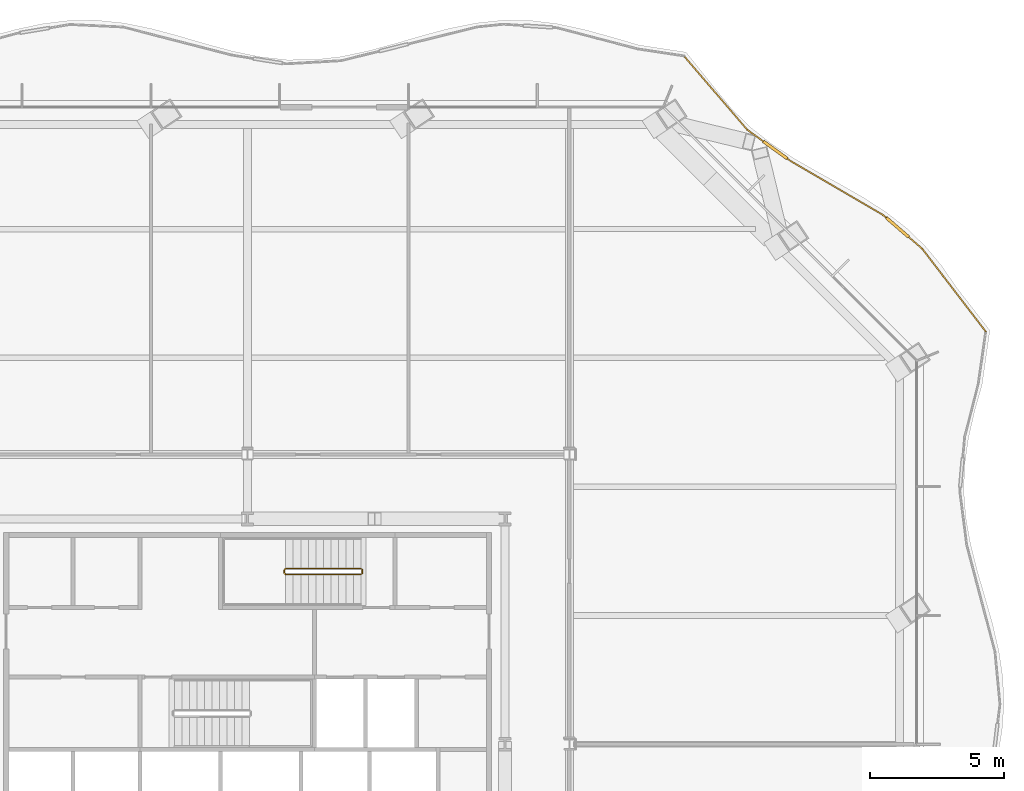
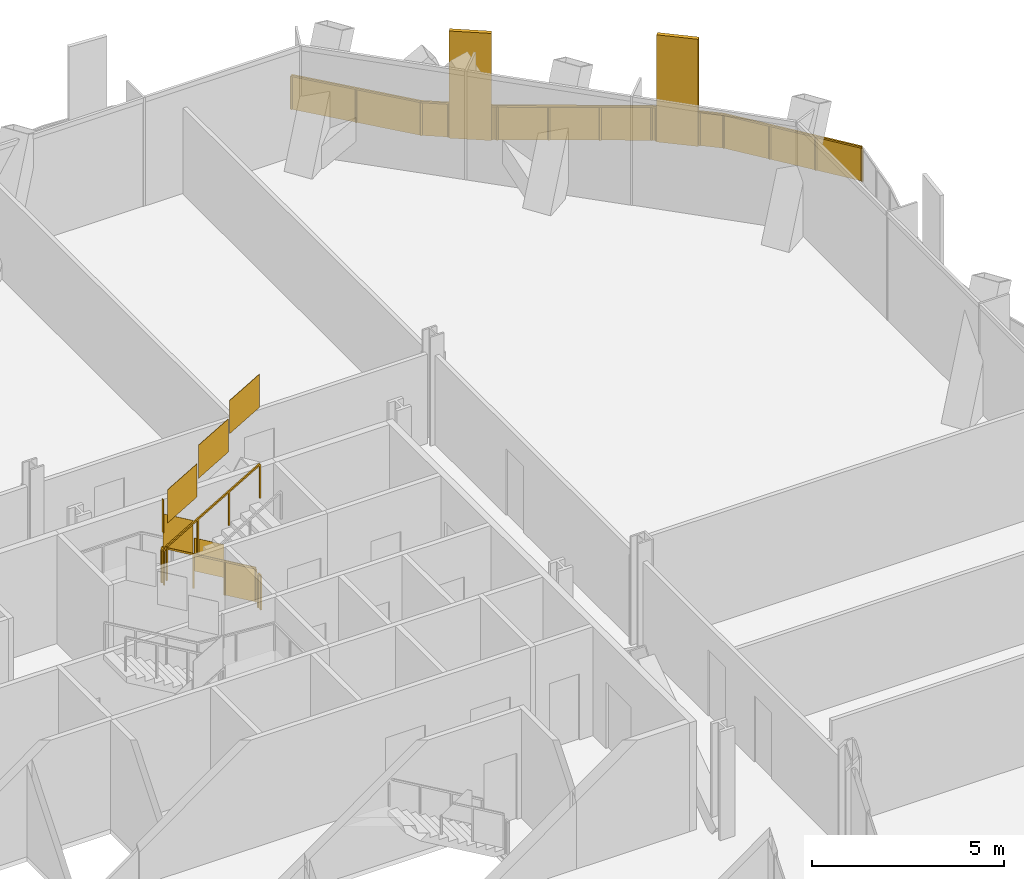
# One storey, part 20 of 20: 3 railings.
"""IFC4 building model written with IfcOpenShell, lengths in metres."""

from ifc_helpers import new_model, si_unit, direction, frame, origin, origin_2d, place, context, subcontext, project, spatial, polyline, rectangle, outline, extrude, material, type_object, element, save


model = new_model("IFC4")

# Units and contexts
model_context = context("Model", 3, precision=1e-05, world=origin(), true_north=direction((0.0, 1.0)))
body_context = subcontext(model_context, "Body", "Model", "MODEL_VIEW")
ifc_project = project(units=[si_unit("LENGTHUNIT", "METRE"), si_unit("AREAUNIT", "SQUARE_METRE"), si_unit("VOLUMEUNIT", "CUBIC_METRE"), si_unit("PLANEANGLEUNIT", "RADIAN"), si_unit("MASSUNIT", "GRAM", prefix="KILO")], contexts=[model_context])

# Site, building, storey
site_placement = place(None, origin())
site = spatial("IfcSite", under=ifc_project, at=site_placement, CompositionType="ELEMENT")
building_placement = place(site_placement, origin())
building = spatial("IfcBuilding", under=site, at=building_placement, Name="Cairn Pilgrim Tower", CompositionType="ELEMENT")
storey_placement = place(building_placement, frame((0.0, 0.0, 101.39990234375)))
storey = spatial("IfcBuildingStorey", under=building, at=storey_placement, Name="L24", CompositionType="ELEMENT", Elevation=101.39990234375)

# Railings
ifc_material_1 = material(Name="Bronze anodised aluminium rail, posts and fin screens with laminated glass infill", Category="aluminium")
railing_type_1 = type_object("IfcRailingType", Name="BALCONY GUARD WITH FIN SCREENS", PredefinedType="GUARDRAIL", material=ifc_material_1)
railing_1_placement = place(storey_placement, frame((34.7177734375, 17.783935546875, 0.0)))
element("IfcRailing", 1, at=railing_1_placement, inside=storey, type_object=railing_type_1, Name="Balcony guard BGF-4 with fin screens", PredefinedType="GUARDRAIL", context=body_context, shape_type="SweptSolid", body=[
    extrude(rectangle(XDim=0.050048828125, YDim=0.050048828125, at=origin_2d()), frame((0.0, 0.0, 1.0751953125), z_axis=(-0.608521134207, 0.793537667174, 0.0), x_axis=(-0.793537667174, -0.608521134207, 0.0)), (0.0, 0.0, 1.0), 3.89013671875),
    extrude(rectangle(XDim=1.10009765625, YDim=0.110107421875, at=origin_2d()), frame((-3.287109375, 3.881591796875, 0.0), z_axis=(0.0, 0.0, 1.0), x_axis=(-0.756777155342, 0.653672958866, 0.0)), (0.0, 0.0, 1.0), 3.39990234375),
    extrude(rectangle(XDim=0.050048828125, YDim=0.050048828125, at=origin_2d()), frame((-2.3671875, 3.0869140625, 1.0751953125), z_axis=(-0.756777155342, 0.653672958866, 0.0), x_axis=(-0.653672958866, -0.756777155342, 0.0)), (0.0, 0.0, 1.0), 0.66552734375),
    extrude(rectangle(XDim=0.050048828125, YDim=0.050048828125, at=origin_2d()), frame((-3.703369140625, 4.240966796875, 1.0751953125), z_axis=(-0.756777155342, 0.653672958866, 0.0), x_axis=(-0.653672958866, -0.756777155342, 0.0)), (0.0, 0.0, 1.0), 0.150146484375),
    extrude(rectangle(XDim=0.050048828125, YDim=0.050048828125, at=origin_2d()), frame((-3.81689453125, 4.339111328125, 1.0751953125), z_axis=(-0.863712552111, 0.5039847491, 0.0), x_axis=(-0.5039847491, -0.863712552111, 0.0)), (0.0, 0.0, 1.0), 4.004150390625),
    extrude(rectangle(XDim=1.10009765625, YDim=0.110107421875, at=origin_2d()), frame((-7.843017578125, 6.7666015625, 0.0), z_axis=(0.0, 0.0, 1.0), x_axis=(-0.811164197828, 0.58481847112, 0.0)), (0.0, 0.0, 1.0), 3.39990234375),
    extrude(rectangle(XDim=0.050048828125, YDim=0.050048828125, at=origin_2d()), frame((-7.275390625, 6.357177734375, 1.0751953125), z_axis=(-0.811164197828, 0.58481847112, 0.0), x_axis=(-0.58481847112, -0.811164197828, 0.0)), (0.0, 0.0, 1.0), 0.14990234375),
    extrude(rectangle(XDim=0.050048828125, YDim=0.050048828125, at=origin_2d()), frame((-8.289306640625, 7.088134765625, 1.0751953125), z_axis=(-0.811164197828, 0.58481847112, 0.0), x_axis=(-0.58481847112, -0.811164197828, 0.0)), (0.0, 0.0, 1.0), 0.740234375),
    extrude(rectangle(XDim=0.050048828125, YDim=0.050048828125, at=origin_2d()), frame((-8.8896484375, 7.52099609375, 1.0751953125), z_axis=(-0.650999911096, 0.759077806126, 0.0), x_axis=(-0.759077806126, -0.650999911096, 0.0)), (0.0, 0.0, 1.0), 3.56689453125),
    extrude(rectangle(XDim=0.050048828125, YDim=0.050048828125, at=origin_2d()), origin(), (0.0, 0.0, 1.0), 1.050048828125),
    extrude(rectangle(XDim=0.050048828125, YDim=0.050048828125, at=origin_2d()), frame((-0.7890625, 1.029052734375, 0.0)), (0.0, 0.0, 1.0), 1.050048828125),
    extrude(rectangle(XDim=0.050048828125, YDim=0.050048828125, at=origin_2d()), frame((-1.578125, 2.057861328125, 0.0)), (0.0, 0.0, 1.0), 1.050048828125),
    extrude(rectangle(XDim=0.050048828125, YDim=0.050048828125, at=origin_2d()), frame((-2.3671875, 3.0869140625, 0.0)), (0.0, 0.0, 1.0), 1.050048828125),
    extrude(rectangle(XDim=0.050048828125, YDim=0.050048828125, at=origin_2d()), frame((-2.851806640625, 3.505615234375, 0.0)), (0.0, 0.0, 1.0), 1.050048828125),
    extrude(rectangle(XDim=0.050048828125, YDim=0.050048828125, at=origin_2d()), frame((-3.72216796875, 4.25732421875, 0.0)), (0.0, 0.0, 1.0), 1.050048828125),
    extrude(rectangle(XDim=0.050048828125, YDim=0.050048828125, at=origin_2d()), frame((-3.81689453125, 4.339111328125, 0.0)), (0.0, 0.0, 1.0), 1.050048828125),
    extrude(rectangle(XDim=0.050048828125, YDim=0.050048828125, at=origin_2d()), frame((-4.9697265625, 5.01171875, 0.0)), (0.0, 0.0, 1.0), 1.050048828125),
    extrude(rectangle(XDim=0.050048828125, YDim=0.050048828125, at=origin_2d()), frame((-6.12255859375, 5.6845703125, 0.0)), (0.0, 0.0, 1.0), 1.050048828125),
    extrude(rectangle(XDim=0.050048828125, YDim=0.050048828125, at=origin_2d()), frame((-7.275390625, 6.357177734375, 0.0)), (0.0, 0.0, 1.0), 1.050048828125),
    extrude(rectangle(XDim=0.050048828125, YDim=0.050048828125, at=origin_2d()), frame((-7.376708984375, 6.43017578125, 0.0)), (0.0, 0.0, 1.0), 1.050048828125),
    extrude(rectangle(XDim=0.050048828125, YDim=0.050048828125, at=origin_2d()), frame((-8.3095703125, 7.102783203125, 0.0)), (0.0, 0.0, 1.0), 1.050048828125),
    extrude(rectangle(XDim=0.050048828125, YDim=0.050048828125, at=origin_2d()), frame((-8.8896484375, 7.52099609375, 0.0)), (0.0, 0.0, 1.0), 1.050048828125),
    extrude(rectangle(XDim=0.050048828125, YDim=0.050048828125, at=origin_2d()), frame((-10.05078125, 8.874755859375, 0.0)), (0.0, 0.0, 1.0), 1.050048828125),
    extrude(rectangle(XDim=0.050048828125, YDim=0.050048828125, at=origin_2d()), frame((-11.211669921875, 10.228515625, 0.0)), (0.0, 0.0, 1.0), 1.050048828125),
    extrude(outline(polyline([(0.02490234375, 0.0), (1.271728515625, 0.0), (1.271728515625, 1.050048828125), (0.02490234375, 1.050048828125), (0.02490234375, 0.0)])), frame((-0.004638671875, -0.003662109375, 0.0), z_axis=(0.793537667174, 0.608521134207, 0.0), x_axis=(-0.608521134207, 0.793537667174, 0.0)), (0.0, 0.0, 1.0), 0.011962890625),
    extrude(outline(polyline([(0.02490234375, 0.0), (1.271728515625, 0.0), (1.271728515625, 1.050048828125), (0.02490234375, 1.050048828125), (0.02490234375, 0.0)])), frame((-0.793701171875, 1.025390625, 0.0), z_axis=(0.793537667174, 0.608521134207, 0.0), x_axis=(-0.608521134207, 0.793537667174, 0.0)), (0.0, 0.0, 1.0), 0.011962890625),
    extrude(outline(polyline([(0.02490234375, 0.0), (1.271728515625, 0.0), (1.271728515625, 1.050048828125), (0.02490234375, 1.050048828125), (0.02490234375, 0.0)])), frame((-1.582763671875, 2.05419921875, 0.0), z_axis=(0.793537667174, 0.608521134207, 0.0), x_axis=(-0.608521134207, 0.793537667174, 0.0)), (0.0, 0.0, 1.0), 0.011962890625),
    extrude(outline(polyline([(0.02490234375, 0.0), (0.615478515625, 0.0), (0.615478515625, 1.050048828125), (0.02490234375, 1.050048828125), (0.02490234375, 0.0)])), frame((-2.37109375, 3.082275390625, 0.0), z_axis=(0.653672958866, 0.756777155342, 0.0), x_axis=(-0.756777155342, 0.653672958866, 0.0)), (0.0, 0.0, 1.0), 0.011962890625),
    extrude(outline(polyline([(0.02490234375, 0.0), (0.10009765625, 0.0), (0.10009765625, 1.050048828125), (0.02490234375, 1.050048828125), (0.02490234375, 0.0)])), frame((-3.72607421875, 4.2529296875, 0.0), z_axis=(0.653672958866, 0.756777155342, 0.0), x_axis=(-0.756777155342, 0.653672958866, 0.0)), (0.0, 0.0, 1.0), 0.011962890625),
    extrude(outline(polyline([(0.02490234375, 0.0), (1.309814453125, 0.0), (1.309814453125, 1.050048828125), (0.02490234375, 1.050048828125), (0.02490234375, 0.0)])), frame((-3.81982421875, 4.333984375, 0.0), z_axis=(0.5039847491, 0.863712552111, 0.0), x_axis=(-0.863712552111, 0.5039847491, 0.0)), (0.0, 0.0, 1.0), 0.011962890625),
    extrude(outline(polyline([(0.02490234375, 0.0), (1.309814453125, 0.0), (1.309814453125, 1.050048828125), (0.02490234375, 1.050048828125), (0.02490234375, 0.0)])), frame((-4.97265625, 5.006591796875, 0.0), z_axis=(0.5039847491, 0.863712552111, 0.0), x_axis=(-0.863712552111, 0.5039847491, 0.0)), (0.0, 0.0, 1.0), 0.011962890625),
    extrude(outline(polyline([(0.02490234375, 0.0), (1.309814453125, 0.0), (1.309814453125, 1.050048828125), (0.02490234375, 1.050048828125), (0.02490234375, 0.0)])), frame((-6.12548828125, 5.679443359375, 0.0), z_axis=(0.5039847491, 0.863712552111, 0.0), x_axis=(-0.863712552111, 0.5039847491, 0.0)), (0.0, 0.0, 1.0), 0.011962890625),
    extrude(outline(polyline([(0.02490234375, 0.0), (0.099853515625, 0.0), (0.099853515625, 1.050048828125), (0.02490234375, 1.050048828125), (0.02490234375, 0.0)])), frame((-7.27880859375, 6.352294921875, 0.0), z_axis=(0.58481847112, 0.811164197828, 0.0), x_axis=(-0.811164197828, 0.58481847112, 0.0)), (0.0, 0.0, 1.0), 0.011962890625),
    extrude(outline(polyline([(0.02490234375, 0.0), (0.690185546875, 0.0), (0.690185546875, 1.050048828125), (0.02490234375, 1.050048828125), (0.02490234375, 0.0)])), frame((-8.31298828125, 7.097900390625, 0.0), z_axis=(0.58481847112, 0.811164197828, 0.0), x_axis=(-0.811164197828, 0.58481847112, 0.0)), (0.0, 0.0, 1.0), 0.011962890625),
    extrude(outline(polyline([(0.02490234375, 0.0), (1.75830078125, 0.0), (1.75830078125, 1.050048828125), (0.02490234375, 1.050048828125), (0.02490234375, 0.0)])), frame((-8.894287109375, 7.51708984375, 0.0), z_axis=(0.759077806126, 0.650999911096, 0.0), x_axis=(-0.650999911096, 0.759077806126, 0.0)), (0.0, 0.0, 1.0), 0.011962890625),
    extrude(outline(polyline([(0.02490234375, 0.0), (1.75830078125, 0.0), (1.75830078125, 1.050048828125), (0.02490234375, 1.050048828125), (0.02490234375, 0.0)])), frame((-10.05517578125, 8.870849609375, 0.0), z_axis=(0.759077806126, 0.650999911096, 0.0), x_axis=(-0.650999911096, 0.759077806126, 0.0)), (0.0, 0.0, 1.0), 0.011962890625),
])
ifc_material_2 = material(Name="Painted steel", Category="steel")
railing_type_2 = type_object("IfcRailingType", Name="STAIR GUARD 1100", PredefinedType="GUARDRAIL", material=ifc_material_2)
railing_2_placement = place(storey_placement, frame((11.425048828125, 8.949951171875, 0.163818359375)))
element("IfcRailing", 2, at=railing_2_placement, inside=storey, type_object=railing_type_2, Name="L24 ST-C stair guard 1", PredefinedType="GUARDRAIL", context=body_context, shape_type="SweptSolid", body=[
    extrude(rectangle(XDim=0.048095703125, YDim=0.048095703125, at=origin_2d()), frame((0.0, 0.0, 1.076171875), z_axis=(-0.863393664356, 0.0, 0.504530851732), x_axis=(0.0, -1.0, 0.0)), (0.0, 0.0, 1.0), 3.2431640625),
    extrude(rectangle(XDim=0.048095703125, YDim=0.048095703125, at=origin_2d()), frame((-2.800048828125, 0.0, 2.71240234375), z_axis=(-0.707106781187, -0.707106781187, 0.0), x_axis=(0.707106781187, -0.707106781187, 0.0)), (0.0, 0.0, 1.0), 0.07080078125),
    extrude(rectangle(XDim=0.048095703125, YDim=0.048095703125, at=origin_2d()), frame((-2.85009765625, -0.050048828125, 2.71240234375), z_axis=(0.0, -1.0, 0.0), x_axis=(1.0, 0.0, 0.0)), (0.0, 0.0, 1.0), 0.125),
    extrude(rectangle(XDim=0.048095703125, YDim=0.048095703125, at=origin_2d()), frame((-2.85009765625, -0.175048828125, 2.71240234375), z_axis=(0.280916556609, -0.279546231943, 0.91811752648), x_axis=(0.705375805398, 0.708833529934, 0.0)), (0.0, 0.0, 1.0), 0.17822265625),
    extrude(rectangle(XDim=0.048095703125, YDim=0.048095703125, at=origin_2d()), frame((-2.800048828125, -0.224853515625, 2.8759765625), z_axis=(0.863360870873, 0.0, 0.504586966384), x_axis=(0.0, 1.0, 0.0)), (0.0, 0.0, 1.0), 3.2431640625),
    extrude(rectangle(XDim=0.0419921875, YDim=0.0419921875, at=origin_2d()), origin(), (0.0, 0.0, 1.0), 1.052001953125),
    extrude(rectangle(XDim=0.0419921875, YDim=0.0419921875, at=origin_2d()), frame((-0.933349609375, 0.0, 0.54541015625)), (0.0, 0.0, 1.0), 1.052001953125),
    extrude(rectangle(XDim=0.0419921875, YDim=0.0419921875, at=origin_2d()), frame((-1.86669921875, 0.0, 1.0908203125)), (0.0, 0.0, 1.0), 1.052001953125),
    extrude(rectangle(XDim=0.0419921875, YDim=0.0419921875, at=origin_2d()), frame((-2.800048828125, 0.0, 1.63623046875)), (0.0, 0.0, 1.0), 1.052001953125),
    extrude(rectangle(XDim=0.0419921875, YDim=0.0419921875, at=origin_2d()), frame((-2.85009765625, -0.050048828125, 1.63623046875)), (0.0, 0.0, 1.0), 1.052001953125),
    extrude(rectangle(XDim=0.0419921875, YDim=0.0419921875, at=origin_2d()), frame((-2.85009765625, -0.175048828125, 1.63623046875)), (0.0, 0.0, 1.0), 1.052001953125),
    extrude(rectangle(XDim=0.0419921875, YDim=0.0419921875, at=origin_2d()), frame((-2.800048828125, -0.224853515625, 1.7998046875)), (0.0, 0.0, 1.0), 1.052001953125),
    extrude(rectangle(XDim=0.0419921875, YDim=0.0419921875, at=origin_2d()), frame((-1.86669921875, -0.224853515625, 2.34521484375)), (0.0, 0.0, 1.0), 1.052001953125),
    extrude(rectangle(XDim=0.0419921875, YDim=0.0419921875, at=origin_2d()), frame((-0.933349609375, -0.224853515625, 2.890869140625)), (0.0, 0.0, 1.0), 1.052001953125),
    extrude(rectangle(XDim=0.0419921875, YDim=0.0419921875, at=origin_2d()), frame((0.0, -0.224853515625, 3.436279296875)), (0.0, 0.0, 1.0), 1.052001953125),
    extrude(outline(polyline([(0.02099609375, 0.01220703125), (0.912353515625, 0.533203125), (0.912353515625, 1.585205078125), (0.02099609375, 1.064208984375), (0.02099609375, 0.01220703125)])), frame((0.0, -0.005859375, 0.0), z_axis=(0.0, 1.0, 0.0), x_axis=(-1.0, 0.0, 0.0)), (0.0, 0.0, 1.0), 0.011962890625),
    extrude(outline(polyline([(0.02099609375, 0.5576171875), (0.912353515625, 1.07861328125), (0.912353515625, 2.130615234375), (0.02099609375, 1.609619140625), (0.02099609375, 0.5576171875)])), frame((-0.933349609375, -0.005859375, 0.54541015625), z_axis=(0.0, 1.0, 0.0), x_axis=(-1.0, 0.0, 0.0)), (0.0, 0.0, 1.0), 0.011962890625),
    extrude(outline(polyline([(0.02099609375, 1.10302734375), (0.912353515625, 1.6240234375), (0.912353515625, 2.676025390625), (0.02099609375, 2.155029296875), (0.02099609375, 1.10302734375)])), frame((-1.86669921875, -0.005859375, 1.0908203125), z_axis=(0.0, 1.0, 0.0), x_axis=(-1.0, 0.0, 0.0)), (0.0, 0.0, 1.0), 0.011962890625),
    extrude(outline(polyline([(0.02099609375, 1.63623046875), (0.10400390625, 1.63623046875), (0.10400390625, 2.688232421875), (0.02099609375, 2.688232421875), (0.02099609375, 1.63623046875)])), frame((-2.84423828125, -0.050048828125, 1.63623046875), z_axis=(-1.0, 0.0, 0.0), x_axis=(0.0, -1.0, 0.0)), (0.0, 0.0, 1.0), 0.011962890625),
    extrude(outline(polyline([(0.02099609375, 1.81201171875), (0.912353515625, 2.3330078125), (0.912353515625, 3.385009765625), (0.02099609375, 2.864013671875), (0.02099609375, 1.81201171875)])), frame((-2.800048828125, -0.21875, 1.7998046875), z_axis=(0.0, -1.0, 0.0), x_axis=(1.0, 0.0, 0.0)), (0.0, 0.0, 1.0), 0.011962890625),
    extrude(outline(polyline([(0.02099609375, 2.357666015625), (0.912353515625, 2.87841796875), (0.912353515625, 3.930419921875), (0.02099609375, 3.40966796875), (0.02099609375, 2.357666015625)])), frame((-1.86669921875, -0.21875, 2.34521484375), z_axis=(0.0, -1.0, 0.0), x_axis=(1.0, 0.0, 0.0)), (0.0, 0.0, 1.0), 0.011962890625),
    extrude(outline(polyline([(0.02099609375, 2.903076171875), (0.912353515625, 3.424072265625), (0.912353515625, 4.47607421875), (0.02099609375, 3.955078125), (0.02099609375, 2.903076171875)])), frame((-0.933349609375, -0.21875, 2.890869140625), z_axis=(0.0, -1.0, 0.0), x_axis=(1.0, 0.0, 0.0)), (0.0, 0.0, 1.0), 0.011962890625),
])
railing_3_placement = place(storey_placement, frame((11.47509765625, 8.89990234375, 0.0)))
element("IfcRailing", 3, at=railing_3_placement, inside=storey, type_object=railing_type_2, Name="L24 ST-C stair guard 2", PredefinedType="GUARDRAIL", context=body_context, shape_type="SweptSolid", body=[
    extrude(rectangle(XDim=0.048095703125, YDim=0.048095703125, at=origin_2d()), frame((0.0, 0.0, 1.076171875), z_axis=(0.0, -1.0, 0.0), x_axis=(1.0, 0.0, 0.0)), (0.0, 0.0, 1.0), 0.125),
    extrude(rectangle(XDim=0.0419921875, YDim=0.0419921875, at=origin_2d()), origin(), (0.0, 0.0, 1.0), 1.052001953125),
    extrude(rectangle(XDim=0.0419921875, YDim=0.0419921875, at=origin_2d()), frame((0.0, -0.125, 0.0)), (0.0, 0.0, 1.0), 1.052001953125),
    extrude(outline(polyline([(0.02099609375, 0.0), (0.10400390625, 0.0), (0.10400390625, 1.052001953125), (0.02099609375, 1.052001953125), (0.02099609375, 0.0)])), frame((0.005859375, 0.0, 0.0), z_axis=(-1.0, 0.0, 0.0), x_axis=(0.0, -1.0, 0.0)), (0.0, 0.0, 1.0), 0.011962890625),
])

save(model, "model.ifc")
